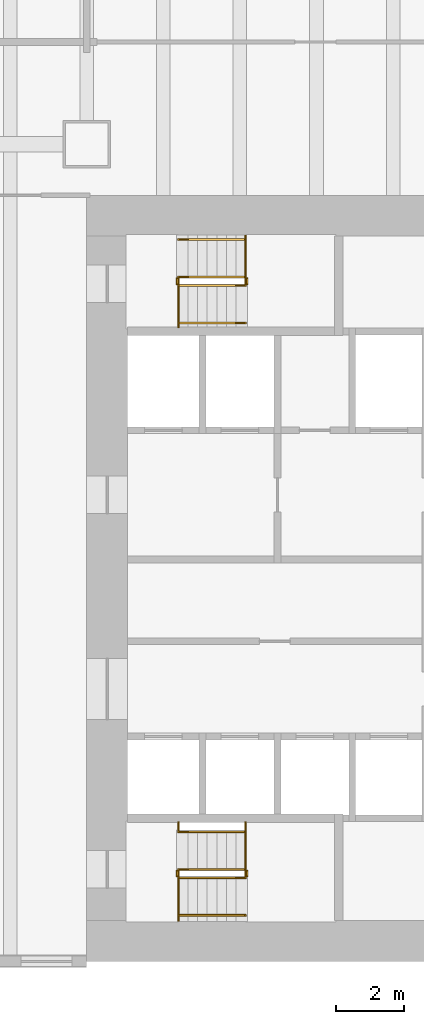
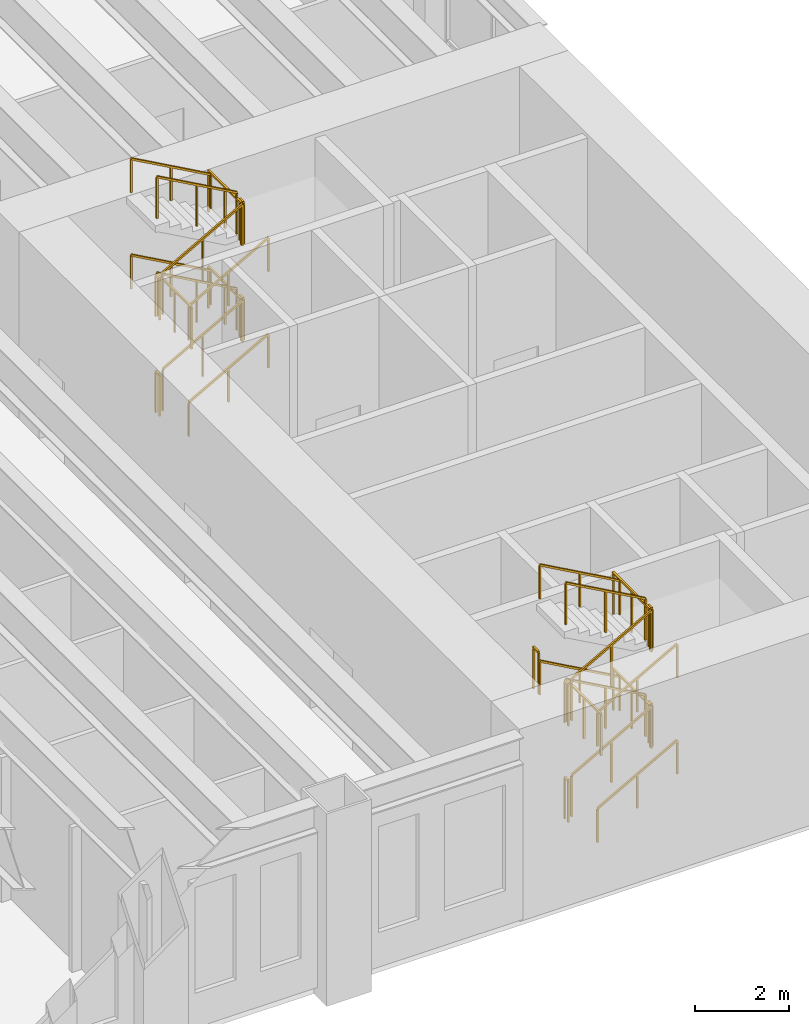
# One storey, part 17 of 19: 31 railings.
"""IFC4 building model written with IfcOpenShell, lengths in metres."""

from ifc_helpers import new_model, si_unit, direction, frame, origin, origin_2d, place, context, subcontext, project, spatial, rectangle, extrude, material, type_object, element, save


model = new_model("IFC4")

# Units and contexts
model_context = context("Model", 3, precision=1e-05, world=origin(), true_north=direction((0.0, 1.0)))
body_context = subcontext(model_context, "Body", "Model", "MODEL_VIEW")
ifc_project = project(units=[si_unit("LENGTHUNIT", "METRE"), si_unit("AREAUNIT", "SQUARE_METRE"), si_unit("VOLUMEUNIT", "CUBIC_METRE"), si_unit("PLANEANGLEUNIT", "RADIAN"), si_unit("MASSUNIT", "GRAM", prefix="KILO")], contexts=[model_context])

# Site, building, storey
site_placement = place(None, origin())
site = spatial("IfcSite", under=ifc_project, at=site_placement, CompositionType="ELEMENT")
building_placement = place(site_placement, origin())
building = spatial("IfcBuilding", under=site, at=building_placement, Name="Sennacour Bend Tower", CompositionType="ELEMENT")
storey_placement = place(building_placement, frame((0.0, 0.0, 14.0)))
storey = spatial("IfcBuildingStorey", under=building, at=storey_placement, Name="L02", CompositionType="ELEMENT", Elevation=14.0)

# Railings
ifc_material = material(Name="Stainless steel", Category="steel")
railing_type_1 = type_object("IfcRailingType", Name="RL-GUARD-1100", PredefinedType="GUARDRAIL", material=ifc_material)
railing_1_placement = place(storey_placement, frame((56.699951171875, 2.449951171875, 0.15625)))
element("IfcRailing", 1, at=railing_1_placement, inside=storey, type_object=railing_type_1, Name="L02 SA1 stair guard 1", PredefinedType="GUARDRAIL", context=body_context, shape_type="SweptSolid", body=[
    extrude(rectangle(XDim=0.048095703125, YDim=0.048095703125, at=origin_2d()), frame((0.0, 0.0, 1.076171875), z_axis=(0.873232148454, 0.0, 0.487304437602), x_axis=(0.0, 1.0, 0.0)), (0.0, 0.0, 1.0), 2.244384765625),
    extrude(rectangle(XDim=0.0419921875, YDim=0.0419921875, at=origin_2d()), origin(), (0.0, 0.0, 1.0), 1.052001953125),
    extrude(rectangle(XDim=0.0419921875, YDim=0.0419921875, at=origin_2d()), frame((0.97998046875, 0.0, 0.546875)), (0.0, 0.0, 1.0), 1.052001953125),
    extrude(rectangle(XDim=0.0419921875, YDim=0.0419921875, at=origin_2d()), frame((1.9599609375, 0.0, 1.09375)), (0.0, 0.0, 1.0), 1.052001953125),
])
railing_2_placement = place(storey_placement, frame((58.7099609375, 2.5, 1.25)))
element("IfcRailing", 2, at=railing_2_placement, inside=storey, type_object=railing_type_1, Name="L02 SA1 stair guard 2", PredefinedType="GUARDRAIL", context=body_context, shape_type="SweptSolid", body=[
    extrude(rectangle(XDim=0.048095703125, YDim=0.048095703125, at=origin_2d()), frame((0.0, 0.0, 1.076171875), z_axis=(0.0, 1.0, 0.0), x_axis=(-1.0, 0.0, 0.0)), (0.0, 0.0, 1.0), 0.14990234375),
    extrude(rectangle(XDim=0.0419921875, YDim=0.0419921875, at=origin_2d()), origin(), (0.0, 0.0, 1.0), 1.052001953125),
    extrude(rectangle(XDim=0.0419921875, YDim=0.0419921875, at=origin_2d()), frame((0.0, 0.14990234375, 0.0)), (0.0, 0.0, 1.0), 1.052001953125),
])
railing_3_placement = place(storey_placement, frame((58.659912109375, 2.699951171875, 1.40625)))
element("IfcRailing", 3, at=railing_3_placement, inside=storey, type_object=railing_type_1, Name="L02 SA1 stair guard 4", PredefinedType="GUARDRAIL", context=body_context, shape_type="SweptSolid", body=[
    extrude(rectangle(XDim=0.048095703125, YDim=0.048095703125, at=origin_2d()), frame((0.0, 0.0, 1.076171875), z_axis=(-0.873232148454, 0.0, 0.487304437602), x_axis=(0.0, -1.0, 0.0)), (0.0, 0.0, 1.0), 2.244384765625),
    extrude(rectangle(XDim=0.0419921875, YDim=0.0419921875, at=origin_2d()), origin(), (0.0, 0.0, 1.0), 1.052001953125),
    extrude(rectangle(XDim=0.0419921875, YDim=0.0419921875, at=origin_2d()), frame((-0.97998046875, 0.0, 0.546875)), (0.0, 0.0, 1.0), 1.052001953125),
    extrude(rectangle(XDim=0.0419921875, YDim=0.0419921875, at=origin_2d()), frame((-1.9599609375, 0.0, 1.09375)), (0.0, 0.0, 1.0), 1.052001953125),
])
railing_4_placement = place(storey_placement, frame((56.64990234375, 2.5, 2.5)))
element("IfcRailing", 4, at=railing_4_placement, inside=storey, type_object=railing_type_1, Name="L02 SA1 stair guard 5", PredefinedType="GUARDRAIL", context=body_context, shape_type="SweptSolid", body=[
    extrude(rectangle(XDim=0.048095703125, YDim=0.048095703125, at=origin_2d()), frame((0.0, 0.0, 1.076171875), z_axis=(0.0, 1.0, 0.0), x_axis=(-1.0, 0.0, 0.0)), (0.0, 0.0, 1.0), 0.14990234375),
    extrude(rectangle(XDim=0.0419921875, YDim=0.0419921875, at=origin_2d()), origin(), (0.0, 0.0, 1.0), 1.052001953125),
    extrude(rectangle(XDim=0.0419921875, YDim=0.0419921875, at=origin_2d()), frame((0.0, 0.14990234375, 0.0)), (0.0, 0.0, 1.0), 1.052001953125),
])
railing_5_placement = place(storey_placement, frame((56.699951171875, 2.449951171875, 2.65625)))
element("IfcRailing", 5, at=railing_5_placement, inside=storey, type_object=railing_type_1, Name="L02 SA1 stair guard 8", PredefinedType="GUARDRAIL", context=body_context, shape_type="SweptSolid", body=[
    extrude(rectangle(XDim=0.048095703125, YDim=0.048095703125, at=origin_2d()), frame((0.0, 0.0, 1.076171875), z_axis=(0.873232148454, 0.0, 0.487304437602), x_axis=(0.0, 1.0, 0.0)), (0.0, 0.0, 1.0), 2.244384765625),
    extrude(rectangle(XDim=0.0419921875, YDim=0.0419921875, at=origin_2d()), origin(), (0.0, 0.0, 1.0), 1.052001953125),
    extrude(rectangle(XDim=0.0419921875, YDim=0.0419921875, at=origin_2d()), frame((0.97998046875, 0.0, 0.546875)), (0.0, 0.0, 1.0), 1.052001953125),
    extrude(rectangle(XDim=0.0419921875, YDim=0.0419921875, at=origin_2d()), frame((1.9599609375, 0.0, 1.09375)), (0.0, 0.0, 1.0), 1.052001953125),
])
railing_6_placement = place(storey_placement, frame((58.7099609375, 2.5, 3.75)))
element("IfcRailing", 6, at=railing_6_placement, inside=storey, type_object=railing_type_1, Name="L02 SA1 stair guard 9", PredefinedType="GUARDRAIL", context=body_context, shape_type="SweptSolid", body=[
    extrude(rectangle(XDim=0.048095703125, YDim=0.048095703125, at=origin_2d()), frame((0.0, 0.0, 1.076171875), z_axis=(0.0, 1.0, 0.0), x_axis=(-1.0, 0.0, 0.0)), (0.0, 0.0, 1.0), 0.14990234375),
    extrude(rectangle(XDim=0.0419921875, YDim=0.0419921875, at=origin_2d()), origin(), (0.0, 0.0, 1.0), 1.052001953125),
    extrude(rectangle(XDim=0.0419921875, YDim=0.0419921875, at=origin_2d()), frame((0.0, 0.14990234375, 0.0)), (0.0, 0.0, 1.0), 1.052001953125),
])
railing_7_placement = place(storey_placement, frame((58.659912109375, 2.699951171875, 3.90625)))
element("IfcRailing", 7, at=railing_7_placement, inside=storey, type_object=railing_type_1, Name="L02 SA1 stair guard 11", PredefinedType="GUARDRAIL", context=body_context, shape_type="SweptSolid", body=[
    extrude(rectangle(XDim=0.048095703125, YDim=0.048095703125, at=origin_2d()), frame((0.0, 0.0, 1.076171875), z_axis=(-0.873232148454, 0.0, 0.487304437602), x_axis=(0.0, -1.0, 0.0)), (0.0, 0.0, 1.0), 2.244384765625),
    extrude(rectangle(XDim=0.0419921875, YDim=0.0419921875, at=origin_2d()), origin(), (0.0, 0.0, 1.0), 1.052001953125),
    extrude(rectangle(XDim=0.0419921875, YDim=0.0419921875, at=origin_2d()), frame((-0.97998046875, 0.0, 0.546875)), (0.0, 0.0, 1.0), 1.052001953125),
    extrude(rectangle(XDim=0.0419921875, YDim=0.0419921875, at=origin_2d()), frame((-1.9599609375, 0.0, 1.09375)), (0.0, 0.0, 1.0), 1.052001953125),
])
railing_8_placement = place(storey_placement, frame((56.64990234375, 2.5, 0.0)))
element("IfcRailing", 8, at=railing_8_placement, inside=storey, type_object=railing_type_1, Name="L02 SA1 stair guard 12", PredefinedType="GUARDRAIL", context=body_context, shape_type="SweptSolid", body=[
    extrude(rectangle(XDim=0.048095703125, YDim=0.048095703125, at=origin_2d()), frame((0.0, 0.0, 1.076171875), z_axis=(0.0, 1.0, 0.0), x_axis=(-1.0, 0.0, 0.0)), (0.0, 0.0, 1.0), 0.14990234375),
    extrude(rectangle(XDim=0.0419921875, YDim=0.0419921875, at=origin_2d()), origin(), (0.0, 0.0, 1.0), 1.052001953125),
    extrude(rectangle(XDim=0.0419921875, YDim=0.0419921875, at=origin_2d()), frame((0.0, 0.14990234375, 0.0)), (0.0, 0.0, 1.0), 1.052001953125),
])
railing_9_placement = place(storey_placement, frame((58.659912109375, 2.5, 1.25)))
element("IfcRailing", 9, at=railing_9_placement, inside=storey, type_object=railing_type_1, Name="L02 SA1 landing edge guard 8", PredefinedType="GUARDRAIL", context=body_context, shape_type="SweptSolid", body=[
    extrude(rectangle(XDim=0.048095703125, YDim=0.048095703125, at=origin_2d()), frame((0.0, 0.0, 1.076171875), z_axis=(0.0, 1.0, 0.0), x_axis=(-1.0, 0.0, 0.0)), (0.0, 0.0, 1.0), 1.574951171875),
    extrude(rectangle(XDim=0.0419921875, YDim=0.0419921875, at=origin_2d()), origin(), (0.0, 0.0, 1.0), 1.052001953125),
    extrude(rectangle(XDim=0.0419921875, YDim=0.0419921875, at=origin_2d()), frame((0.0, 0.78759765625, 0.0)), (0.0, 0.0, 1.0), 1.052001953125),
    extrude(rectangle(XDim=0.0419921875, YDim=0.0419921875, at=origin_2d()), frame((0.0, 1.574951171875, 0.0)), (0.0, 0.0, 1.0), 1.052001953125),
])
railing_10_placement = place(storey_placement, frame((56.699951171875, 4.074951171875, 2.5)))
element("IfcRailing", 10, at=railing_10_placement, inside=storey, type_object=railing_type_1, Name="L02 SA1 landing edge guard 9", PredefinedType="GUARDRAIL", context=body_context, shape_type="SweptSolid", body=[
    extrude(rectangle(XDim=0.048095703125, YDim=0.048095703125, at=origin_2d()), frame((0.0, 0.0, 1.076171875), z_axis=(0.0, -1.0, 0.0), x_axis=(1.0, 0.0, 0.0)), (0.0, 0.0, 1.0), 0.224853515625),
    extrude(rectangle(XDim=0.0419921875, YDim=0.0419921875, at=origin_2d()), origin(), (0.0, 0.0, 1.0), 1.052001953125),
    extrude(rectangle(XDim=0.0419921875, YDim=0.0419921875, at=origin_2d()), frame((0.0, -0.224853515625, 0.0)), (0.0, 0.0, 1.0), 1.052001953125),
])
railing_11_placement = place(storey_placement, frame((56.699951171875, 2.64990234375, 2.5)))
element("IfcRailing", 11, at=railing_11_placement, inside=storey, type_object=railing_type_1, Name="L02 SA1 landing edge guard 10", PredefinedType="GUARDRAIL", context=body_context, shape_type="SweptSolid", body=[
    extrude(rectangle(XDim=0.048095703125, YDim=0.048095703125, at=origin_2d()), frame((0.0, 0.0, 1.076171875), z_axis=(0.0, -1.0, 0.0), x_axis=(1.0, 0.0, 0.0)), (0.0, 0.0, 1.0), 1.449951171875),
    extrude(rectangle(XDim=0.0419921875, YDim=0.0419921875, at=origin_2d()), origin(), (0.0, 0.0, 1.0), 1.052001953125),
    extrude(rectangle(XDim=0.0419921875, YDim=0.0419921875, at=origin_2d()), frame((0.0, -0.72509765625, 0.0)), (0.0, 0.0, 1.0), 1.052001953125),
    extrude(rectangle(XDim=0.0419921875, YDim=0.0419921875, at=origin_2d()), frame((0.0, -1.449951171875, 0.0)), (0.0, 0.0, 1.0), 1.052001953125),
])
railing_12_placement = place(storey_placement, frame((58.659912109375, 2.5, 3.75)))
element("IfcRailing", 12, at=railing_12_placement, inside=storey, type_object=railing_type_1, Name="L02 SA1 landing edge guard 11", PredefinedType="GUARDRAIL", context=body_context, shape_type="SweptSolid", body=[
    extrude(rectangle(XDim=0.048095703125, YDim=0.048095703125, at=origin_2d()), frame((0.0, 0.0, 1.076171875), z_axis=(0.0, 1.0, 0.0), x_axis=(-1.0, 0.0, 0.0)), (0.0, 0.0, 1.0), 1.574951171875),
    extrude(rectangle(XDim=0.0419921875, YDim=0.0419921875, at=origin_2d()), origin(), (0.0, 0.0, 1.0), 1.052001953125),
    extrude(rectangle(XDim=0.0419921875, YDim=0.0419921875, at=origin_2d()), frame((0.0, 0.78759765625, 0.0)), (0.0, 0.0, 1.0), 1.052001953125),
    extrude(rectangle(XDim=0.0419921875, YDim=0.0419921875, at=origin_2d()), frame((0.0, 1.574951171875, 0.0)), (0.0, 0.0, 1.0), 1.052001953125),
])
railing_13_placement = place(storey_placement, frame((56.699951171875, 19.85009765625, 0.15625)))
element("IfcRailing", 13, at=railing_13_placement, inside=storey, type_object=railing_type_1, Name="L02 SA2 stair guard 1", PredefinedType="GUARDRAIL", context=body_context, shape_type="SweptSolid", body=[
    extrude(rectangle(XDim=0.048095703125, YDim=0.048095703125, at=origin_2d()), frame((0.0, 0.0, 1.076171875), z_axis=(0.873232148454, 0.0, 0.487304437602), x_axis=(0.0, 1.0, 0.0)), (0.0, 0.0, 1.0), 2.244384765625),
    extrude(rectangle(XDim=0.0419921875, YDim=0.0419921875, at=origin_2d()), origin(), (0.0, 0.0, 1.0), 1.052001953125),
    extrude(rectangle(XDim=0.0419921875, YDim=0.0419921875, at=origin_2d()), frame((0.97998046875, 0.0, 0.546875)), (0.0, 0.0, 1.0), 1.052001953125),
    extrude(rectangle(XDim=0.0419921875, YDim=0.0419921875, at=origin_2d()), frame((1.9599609375, 0.0, 1.09375)), (0.0, 0.0, 1.0), 1.052001953125),
])
railing_14_placement = place(storey_placement, frame((58.7099609375, 19.89990234375, 1.25)))
element("IfcRailing", 14, at=railing_14_placement, inside=storey, type_object=railing_type_1, Name="L02 SA2 stair guard 2", PredefinedType="GUARDRAIL", context=body_context, shape_type="SweptSolid", body=[
    extrude(rectangle(XDim=0.048095703125, YDim=0.048095703125, at=origin_2d()), frame((0.0, 0.0, 1.076171875), z_axis=(0.0, 1.0, 0.0), x_axis=(-1.0, 0.0, 0.0)), (0.0, 0.0, 1.0), 0.150146484375),
    extrude(rectangle(XDim=0.0419921875, YDim=0.0419921875, at=origin_2d()), origin(), (0.0, 0.0, 1.0), 1.052001953125),
    extrude(rectangle(XDim=0.0419921875, YDim=0.0419921875, at=origin_2d()), frame((0.0, 0.150146484375, 0.0)), (0.0, 0.0, 1.0), 1.052001953125),
])
railing_15_placement = place(storey_placement, frame((58.659912109375, 20.10009765625, 1.40625)))
element("IfcRailing", 15, at=railing_15_placement, inside=storey, type_object=railing_type_1, Name="L02 SA2 stair guard 4", PredefinedType="GUARDRAIL", context=body_context, shape_type="SweptSolid", body=[
    extrude(rectangle(XDim=0.048095703125, YDim=0.048095703125, at=origin_2d()), frame((0.0, 0.0, 1.076171875), z_axis=(-0.873232148454, 0.0, 0.487304437602), x_axis=(0.0, -1.0, 0.0)), (0.0, 0.0, 1.0), 2.244384765625),
    extrude(rectangle(XDim=0.0419921875, YDim=0.0419921875, at=origin_2d()), origin(), (0.0, 0.0, 1.0), 1.052001953125),
    extrude(rectangle(XDim=0.0419921875, YDim=0.0419921875, at=origin_2d()), frame((-0.97998046875, 0.0, 0.546875)), (0.0, 0.0, 1.0), 1.052001953125),
    extrude(rectangle(XDim=0.0419921875, YDim=0.0419921875, at=origin_2d()), frame((-1.9599609375, 0.0, 1.09375)), (0.0, 0.0, 1.0), 1.052001953125),
])
railing_16_placement = place(storey_placement, frame((56.64990234375, 19.89990234375, 2.5)))
element("IfcRailing", 16, at=railing_16_placement, inside=storey, type_object=railing_type_1, Name="L02 SA2 stair guard 5", PredefinedType="GUARDRAIL", context=body_context, shape_type="SweptSolid", body=[
    extrude(rectangle(XDim=0.048095703125, YDim=0.048095703125, at=origin_2d()), frame((0.0, 0.0, 1.076171875), z_axis=(0.0, 1.0, 0.0), x_axis=(-1.0, 0.0, 0.0)), (0.0, 0.0, 1.0), 0.150146484375),
    extrude(rectangle(XDim=0.0419921875, YDim=0.0419921875, at=origin_2d()), origin(), (0.0, 0.0, 1.0), 1.052001953125),
    extrude(rectangle(XDim=0.0419921875, YDim=0.0419921875, at=origin_2d()), frame((0.0, 0.150146484375, 0.0)), (0.0, 0.0, 1.0), 1.052001953125),
])
railing_17_placement = place(storey_placement, frame((56.699951171875, 19.85009765625, 2.65625)))
element("IfcRailing", 17, at=railing_17_placement, inside=storey, type_object=railing_type_1, Name="L02 SA2 stair guard 8", PredefinedType="GUARDRAIL", context=body_context, shape_type="SweptSolid", body=[
    extrude(rectangle(XDim=0.048095703125, YDim=0.048095703125, at=origin_2d()), frame((0.0, 0.0, 1.076171875), z_axis=(0.873232148454, 0.0, 0.487304437602), x_axis=(0.0, 1.0, 0.0)), (0.0, 0.0, 1.0), 2.244384765625),
    extrude(rectangle(XDim=0.0419921875, YDim=0.0419921875, at=origin_2d()), origin(), (0.0, 0.0, 1.0), 1.052001953125),
    extrude(rectangle(XDim=0.0419921875, YDim=0.0419921875, at=origin_2d()), frame((0.97998046875, 0.0, 0.546875)), (0.0, 0.0, 1.0), 1.052001953125),
    extrude(rectangle(XDim=0.0419921875, YDim=0.0419921875, at=origin_2d()), frame((1.9599609375, 0.0, 1.09375)), (0.0, 0.0, 1.0), 1.052001953125),
])
railing_18_placement = place(storey_placement, frame((58.7099609375, 19.89990234375, 3.75)))
element("IfcRailing", 18, at=railing_18_placement, inside=storey, type_object=railing_type_1, Name="L02 SA2 stair guard 9", PredefinedType="GUARDRAIL", context=body_context, shape_type="SweptSolid", body=[
    extrude(rectangle(XDim=0.048095703125, YDim=0.048095703125, at=origin_2d()), frame((0.0, 0.0, 1.076171875), z_axis=(0.0, 1.0, 0.0), x_axis=(-1.0, 0.0, 0.0)), (0.0, 0.0, 1.0), 0.150146484375),
    extrude(rectangle(XDim=0.0419921875, YDim=0.0419921875, at=origin_2d()), origin(), (0.0, 0.0, 1.0), 1.052001953125),
    extrude(rectangle(XDim=0.0419921875, YDim=0.0419921875, at=origin_2d()), frame((0.0, 0.150146484375, 0.0)), (0.0, 0.0, 1.0), 1.052001953125),
])
railing_19_placement = place(storey_placement, frame((58.659912109375, 20.10009765625, 3.90625)))
element("IfcRailing", 19, at=railing_19_placement, inside=storey, type_object=railing_type_1, Name="L02 SA2 stair guard 11", PredefinedType="GUARDRAIL", context=body_context, shape_type="SweptSolid", body=[
    extrude(rectangle(XDim=0.048095703125, YDim=0.048095703125, at=origin_2d()), frame((0.0, 0.0, 1.076171875), z_axis=(-0.873232148454, 0.0, 0.487304437602), x_axis=(0.0, -1.0, 0.0)), (0.0, 0.0, 1.0), 2.244384765625),
    extrude(rectangle(XDim=0.0419921875, YDim=0.0419921875, at=origin_2d()), origin(), (0.0, 0.0, 1.0), 1.052001953125),
    extrude(rectangle(XDim=0.0419921875, YDim=0.0419921875, at=origin_2d()), frame((-0.97998046875, 0.0, 0.546875)), (0.0, 0.0, 1.0), 1.052001953125),
    extrude(rectangle(XDim=0.0419921875, YDim=0.0419921875, at=origin_2d()), frame((-1.9599609375, 0.0, 1.09375)), (0.0, 0.0, 1.0), 1.052001953125),
])
railing_20_placement = place(storey_placement, frame((56.64990234375, 19.89990234375, 0.0)))
element("IfcRailing", 20, at=railing_20_placement, inside=storey, type_object=railing_type_1, Name="L02 SA2 stair guard 12", PredefinedType="GUARDRAIL", context=body_context, shape_type="SweptSolid", body=[
    extrude(rectangle(XDim=0.048095703125, YDim=0.048095703125, at=origin_2d()), frame((0.0, 0.0, 1.076171875), z_axis=(0.0, 1.0, 0.0), x_axis=(-1.0, 0.0, 0.0)), (0.0, 0.0, 1.0), 0.150146484375),
    extrude(rectangle(XDim=0.0419921875, YDim=0.0419921875, at=origin_2d()), origin(), (0.0, 0.0, 1.0), 1.052001953125),
    extrude(rectangle(XDim=0.0419921875, YDim=0.0419921875, at=origin_2d()), frame((0.0, 0.150146484375, 0.0)), (0.0, 0.0, 1.0), 1.052001953125),
])
railing_21_placement = place(storey_placement, frame((58.659912109375, 19.89990234375, 1.25)))
element("IfcRailing", 21, at=railing_21_placement, inside=storey, type_object=railing_type_1, Name="L02 SA2 landing edge guard 7", PredefinedType="GUARDRAIL", context=body_context, shape_type="SweptSolid", body=[
    extrude(rectangle(XDim=0.048095703125, YDim=0.048095703125, at=origin_2d()), frame((0.0, 0.0, 1.076171875), z_axis=(0.0, 1.0, 0.0), x_axis=(-1.0, 0.0, 0.0)), (0.0, 0.0, 1.0), 1.400146484375),
    extrude(rectangle(XDim=0.0419921875, YDim=0.0419921875, at=origin_2d()), origin(), (0.0, 0.0, 1.0), 1.052001953125),
    extrude(rectangle(XDim=0.0419921875, YDim=0.0419921875, at=origin_2d()), frame((0.0, 0.7001953125, 0.0)), (0.0, 0.0, 1.0), 1.052001953125),
    extrude(rectangle(XDim=0.0419921875, YDim=0.0419921875, at=origin_2d()), frame((0.0, 1.400146484375, 0.0)), (0.0, 0.0, 1.0), 1.052001953125),
])
railing_22_placement = place(storey_placement, frame((56.699951171875, 20.050048828125, 2.5)))
element("IfcRailing", 22, at=railing_22_placement, inside=storey, type_object=railing_type_1, Name="L02 SA2 landing edge guard 8", PredefinedType="GUARDRAIL", context=body_context, shape_type="SweptSolid", body=[
    extrude(rectangle(XDim=0.048095703125, YDim=0.048095703125, at=origin_2d()), frame((0.0, 0.0, 1.076171875), z_axis=(0.0, -1.0, 0.0), x_axis=(1.0, 0.0, 0.0)), (0.0, 0.0, 1.0), 1.425048828125),
    extrude(rectangle(XDim=0.0419921875, YDim=0.0419921875, at=origin_2d()), origin(), (0.0, 0.0, 1.0), 1.052001953125),
    extrude(rectangle(XDim=0.0419921875, YDim=0.0419921875, at=origin_2d()), frame((0.0, -0.71240234375, 0.0)), (0.0, 0.0, 1.0), 1.052001953125),
    extrude(rectangle(XDim=0.0419921875, YDim=0.0419921875, at=origin_2d()), frame((0.0, -1.425048828125, 0.0)), (0.0, 0.0, 1.0), 1.052001953125),
])
railing_23_placement = place(storey_placement, frame((58.659912109375, 19.89990234375, 3.75)))
element("IfcRailing", 23, at=railing_23_placement, inside=storey, type_object=railing_type_1, Name="L02 SA2 landing edge guard 9", PredefinedType="GUARDRAIL", context=body_context, shape_type="SweptSolid", body=[
    extrude(rectangle(XDim=0.048095703125, YDim=0.048095703125, at=origin_2d()), frame((0.0, 0.0, 1.076171875), z_axis=(0.0, 1.0, 0.0), x_axis=(-1.0, 0.0, 0.0)), (0.0, 0.0, 1.0), 1.400146484375),
    extrude(rectangle(XDim=0.0419921875, YDim=0.0419921875, at=origin_2d()), origin(), (0.0, 0.0, 1.0), 1.052001953125),
    extrude(rectangle(XDim=0.0419921875, YDim=0.0419921875, at=origin_2d()), frame((0.0, 0.7001953125, 0.0)), (0.0, 0.0, 1.0), 1.052001953125),
    extrude(rectangle(XDim=0.0419921875, YDim=0.0419921875, at=origin_2d()), frame((0.0, 1.400146484375, 0.0)), (0.0, 0.0, 1.0), 1.052001953125),
])
railing_type_2 = type_object("IfcRailingType", Name="RL-HANDRAIL-900", PredefinedType="HANDRAIL", material=ifc_material)
railing_24_placement = place(storey_placement, frame((56.699951171875, 1.35009765625, 0.15625)))
element("IfcRailing", 24, at=railing_24_placement, inside=storey, type_object=railing_type_2, Name="L02 SA1 stair handrail 1", PredefinedType="HANDRAIL", context=body_context, shape_type="SweptSolid", body=[
    extrude(rectangle(XDim=0.048095703125, YDim=0.048095703125, at=origin_2d()), frame((0.0, 0.0, 0.8759765625), z_axis=(0.873232148454, 0.0, 0.487304437602), x_axis=(0.0, 1.0, 0.0)), (0.0, 0.0, 1.0), 2.244384765625),
    extrude(rectangle(XDim=0.0419921875, YDim=0.0419921875, at=origin_2d()), origin(), (0.0, 0.0, 1.0), 0.851806640625),
    extrude(rectangle(XDim=0.0419921875, YDim=0.0419921875, at=origin_2d()), frame((0.97998046875, 0.0, 0.546875)), (0.0, 0.0, 1.0), 0.851806640625),
    extrude(rectangle(XDim=0.0419921875, YDim=0.0419921875, at=origin_2d()), frame((1.9599609375, 0.0, 1.09375)), (0.0, 0.0, 1.0), 0.851806640625),
])
railing_25_placement = place(storey_placement, frame((58.659912109375, 3.800048828125, 1.40625)))
element("IfcRailing", 25, at=railing_25_placement, inside=storey, type_object=railing_type_2, Name="L02 SA1 stair handrail 2", PredefinedType="HANDRAIL", context=body_context, shape_type="SweptSolid", body=[
    extrude(rectangle(XDim=0.048095703125, YDim=0.048095703125, at=origin_2d()), frame((0.0, 0.0, 0.8759765625), z_axis=(-0.873232148454, 0.0, 0.487304437602), x_axis=(0.0, -1.0, 0.0)), (0.0, 0.0, 1.0), 2.244384765625),
    extrude(rectangle(XDim=0.0419921875, YDim=0.0419921875, at=origin_2d()), origin(), (0.0, 0.0, 1.0), 0.851806640625),
    extrude(rectangle(XDim=0.0419921875, YDim=0.0419921875, at=origin_2d()), frame((-0.97998046875, 0.0, 0.546875)), (0.0, 0.0, 1.0), 0.851806640625),
    extrude(rectangle(XDim=0.0419921875, YDim=0.0419921875, at=origin_2d()), frame((-1.9599609375, 0.0, 1.09375)), (0.0, 0.0, 1.0), 0.851806640625),
])
railing_26_placement = place(storey_placement, frame((56.699951171875, 1.35009765625, 2.65625)))
element("IfcRailing", 26, at=railing_26_placement, inside=storey, type_object=railing_type_2, Name="L02 SA1 stair handrail 3", PredefinedType="HANDRAIL", context=body_context, shape_type="SweptSolid", body=[
    extrude(rectangle(XDim=0.048095703125, YDim=0.048095703125, at=origin_2d()), frame((0.0, 0.0, 0.8759765625), z_axis=(0.873232148454, 0.0, 0.487304437602), x_axis=(0.0, 1.0, 0.0)), (0.0, 0.0, 1.0), 2.244384765625),
    extrude(rectangle(XDim=0.0419921875, YDim=0.0419921875, at=origin_2d()), origin(), (0.0, 0.0, 1.0), 0.851806640625),
    extrude(rectangle(XDim=0.0419921875, YDim=0.0419921875, at=origin_2d()), frame((0.97998046875, 0.0, 0.546875)), (0.0, 0.0, 1.0), 0.851806640625),
    extrude(rectangle(XDim=0.0419921875, YDim=0.0419921875, at=origin_2d()), frame((1.9599609375, 0.0, 1.09375)), (0.0, 0.0, 1.0), 0.851806640625),
])
railing_27_placement = place(storey_placement, frame((58.659912109375, 3.800048828125, 3.90625)))
element("IfcRailing", 27, at=railing_27_placement, inside=storey, type_object=railing_type_2, Name="L02 SA1 stair handrail 4", PredefinedType="HANDRAIL", context=body_context, shape_type="SweptSolid", body=[
    extrude(rectangle(XDim=0.048095703125, YDim=0.048095703125, at=origin_2d()), frame((0.0, 0.0, 0.8759765625), z_axis=(-0.873232148454, 0.0, 0.487304437602), x_axis=(0.0, -1.0, 0.0)), (0.0, 0.0, 1.0), 2.244384765625),
    extrude(rectangle(XDim=0.0419921875, YDim=0.0419921875, at=origin_2d()), origin(), (0.0, 0.0, 1.0), 0.851806640625),
    extrude(rectangle(XDim=0.0419921875, YDim=0.0419921875, at=origin_2d()), frame((-0.97998046875, 0.0, 0.546875)), (0.0, 0.0, 1.0), 0.851806640625),
    extrude(rectangle(XDim=0.0419921875, YDim=0.0419921875, at=origin_2d()), frame((-1.9599609375, 0.0, 1.09375)), (0.0, 0.0, 1.0), 0.851806640625),
])
railing_28_placement = place(storey_placement, frame((56.699951171875, 18.75, 0.15625)))
element("IfcRailing", 28, at=railing_28_placement, inside=storey, type_object=railing_type_2, Name="L02 SA2 stair handrail 1", PredefinedType="HANDRAIL", context=body_context, shape_type="SweptSolid", body=[
    extrude(rectangle(XDim=0.048095703125, YDim=0.048095703125, at=origin_2d()), frame((0.0, 0.0, 0.8759765625), z_axis=(0.873232148454, 0.0, 0.487304437602), x_axis=(0.0, 1.0, 0.0)), (0.0, 0.0, 1.0), 2.244384765625),
    extrude(rectangle(XDim=0.0419921875, YDim=0.0419921875, at=origin_2d()), origin(), (0.0, 0.0, 1.0), 0.851806640625),
    extrude(rectangle(XDim=0.0419921875, YDim=0.0419921875, at=origin_2d()), frame((0.97998046875, 0.0, 0.546875)), (0.0, 0.0, 1.0), 0.851806640625),
    extrude(rectangle(XDim=0.0419921875, YDim=0.0419921875, at=origin_2d()), frame((1.9599609375, 0.0, 1.09375)), (0.0, 0.0, 1.0), 0.851806640625),
])
railing_29_placement = place(storey_placement, frame((58.659912109375, 21.199951171875, 1.40625)))
element("IfcRailing", 29, at=railing_29_placement, inside=storey, type_object=railing_type_2, Name="L02 SA2 stair handrail 2", PredefinedType="HANDRAIL", context=body_context, shape_type="SweptSolid", body=[
    extrude(rectangle(XDim=0.048095703125, YDim=0.048095703125, at=origin_2d()), frame((0.0, 0.0, 0.8759765625), z_axis=(-0.873232148454, 0.0, 0.487304437602), x_axis=(0.0, -1.0, 0.0)), (0.0, 0.0, 1.0), 2.244384765625),
    extrude(rectangle(XDim=0.0419921875, YDim=0.0419921875, at=origin_2d()), origin(), (0.0, 0.0, 1.0), 0.851806640625),
    extrude(rectangle(XDim=0.0419921875, YDim=0.0419921875, at=origin_2d()), frame((-0.97998046875, 0.0, 0.546875)), (0.0, 0.0, 1.0), 0.851806640625),
    extrude(rectangle(XDim=0.0419921875, YDim=0.0419921875, at=origin_2d()), frame((-1.9599609375, 0.0, 1.09375)), (0.0, 0.0, 1.0), 0.851806640625),
])
railing_30_placement = place(storey_placement, frame((56.699951171875, 18.75, 2.65625)))
element("IfcRailing", 30, at=railing_30_placement, inside=storey, type_object=railing_type_2, Name="L02 SA2 stair handrail 3", PredefinedType="HANDRAIL", context=body_context, shape_type="SweptSolid", body=[
    extrude(rectangle(XDim=0.048095703125, YDim=0.048095703125, at=origin_2d()), frame((0.0, 0.0, 0.8759765625), z_axis=(0.873232148454, 0.0, 0.487304437602), x_axis=(0.0, 1.0, 0.0)), (0.0, 0.0, 1.0), 2.244384765625),
    extrude(rectangle(XDim=0.0419921875, YDim=0.0419921875, at=origin_2d()), origin(), (0.0, 0.0, 1.0), 0.851806640625),
    extrude(rectangle(XDim=0.0419921875, YDim=0.0419921875, at=origin_2d()), frame((0.97998046875, 0.0, 0.546875)), (0.0, 0.0, 1.0), 0.851806640625),
    extrude(rectangle(XDim=0.0419921875, YDim=0.0419921875, at=origin_2d()), frame((1.9599609375, 0.0, 1.09375)), (0.0, 0.0, 1.0), 0.851806640625),
])
railing_31_placement = place(storey_placement, frame((58.659912109375, 21.199951171875, 3.90625)))
element("IfcRailing", 31, at=railing_31_placement, inside=storey, type_object=railing_type_2, Name="L02 SA2 stair handrail 4", PredefinedType="HANDRAIL", context=body_context, shape_type="SweptSolid", body=[
    extrude(rectangle(XDim=0.048095703125, YDim=0.048095703125, at=origin_2d()), frame((0.0, 0.0, 0.8759765625), z_axis=(-0.873232148454, 0.0, 0.487304437602), x_axis=(0.0, -1.0, 0.0)), (0.0, 0.0, 1.0), 2.244384765625),
    extrude(rectangle(XDim=0.0419921875, YDim=0.0419921875, at=origin_2d()), origin(), (0.0, 0.0, 1.0), 0.851806640625),
    extrude(rectangle(XDim=0.0419921875, YDim=0.0419921875, at=origin_2d()), frame((-0.97998046875, 0.0, 0.546875)), (0.0, 0.0, 1.0), 0.851806640625),
    extrude(rectangle(XDim=0.0419921875, YDim=0.0419921875, at=origin_2d()), frame((-1.9599609375, 0.0, 1.09375)), (0.0, 0.0, 1.0), 0.851806640625),
])

save(model, "model.ifc")
